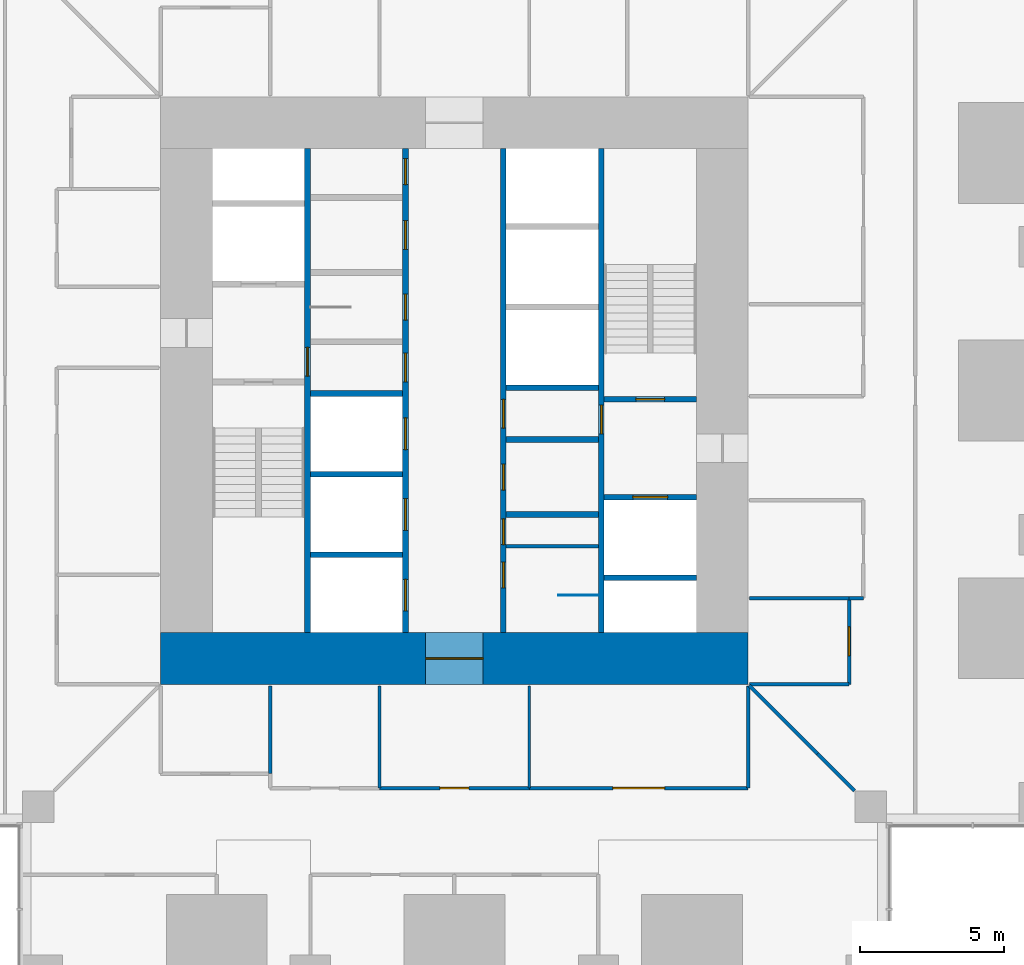
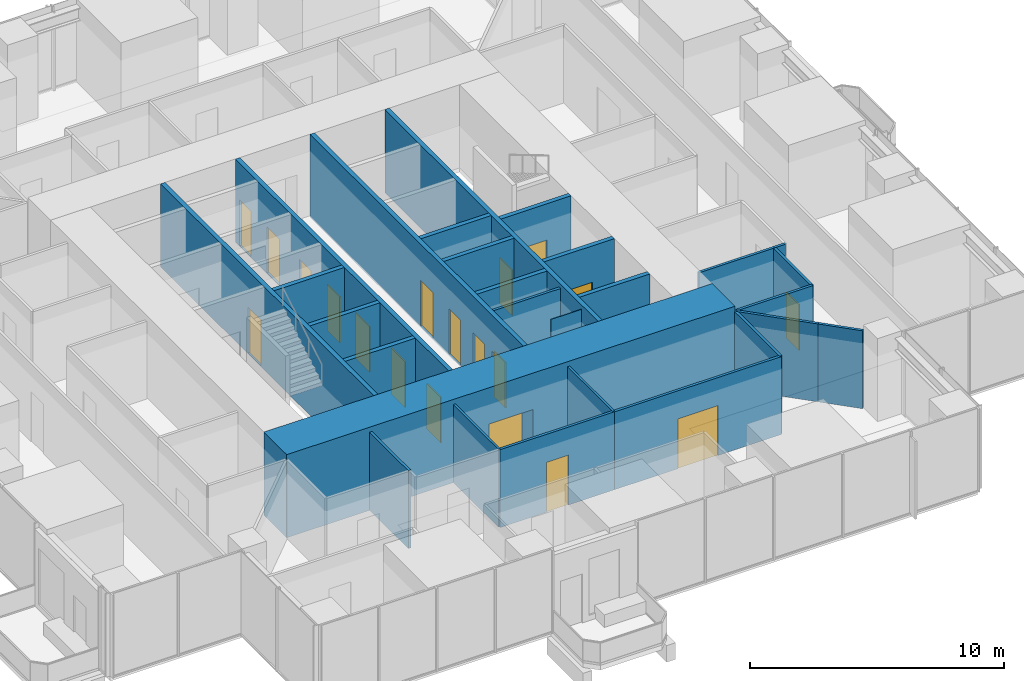
# One storey, part 11 of 16: 28 walls, 19 doors, 19 openings.
"""IFC4 building model written with IfcOpenShell, lengths in metres."""

from ifc_helpers import new_model, si_unit, direction, frame, frame_2d, origin, place, context, subcontext, project, spatial, rectangle, extrude, material, layer, layer_set, type_object, element, fill, save


model = new_model("IFC4")

# Units and contexts
model_context = context("Model", 3, precision=1e-05, world=origin(), true_north=direction((0.0, 1.0)))
body_context = subcontext(model_context, "Body", "Model", "MODEL_VIEW")
ifc_project = project(units=[si_unit("LENGTHUNIT", "METRE"), si_unit("AREAUNIT", "SQUARE_METRE"), si_unit("VOLUMEUNIT", "CUBIC_METRE"), si_unit("PLANEANGLEUNIT", "RADIAN"), si_unit("MASSUNIT", "GRAM", prefix="KILO")], contexts=[model_context])

# Site, building, storey
site_placement = place(None, origin())
site = spatial("IfcSite", under=ifc_project, at=site_placement, CompositionType="ELEMENT")
building_placement = place(site_placement, origin())
building = spatial("IfcBuilding", under=site, at=building_placement, Name="Svetlomir Tower", CompositionType="ELEMENT")
storey_placement = place(building_placement, frame((0.0, 0.0, 22.5)))
storey = spatial("IfcBuildingStorey", under=building, at=storey_placement, Name="L04", CompositionType="ELEMENT", Elevation=22.5)

# Wall, opening, door
ifc_material_1 = material(Name="Concrete C60/75", Category="concrete")
ifc_layer_1 = layer(ifc_material_1, 0.199951171875)
ifc_layer_set_1 = layer_set([ifc_layer_1], Name="Concrete C60/75")
wall_type_1 = type_object("IfcWallType", Name="CORE INNER WALL 200", PredefinedType="SHEAR", material=ifc_layer_set_1)
wall_1_placement = place(storey_placement, frame((15.89990234375, 12.60009765625, -0.050048828125), z_axis=(0.0, 0.0, 1.0), x_axis=(0.0, 1.0, 0.0)))
wall_1 = element("IfcWall", 1, at=wall_1_placement, inside=storey, type_object=wall_type_1, Name="Core inner wall 15.9 L04", PredefinedType="SHEAR", context=body_context, shape_type="SweptSolid", body=[
    extrude(rectangle(XDim=16.7998046875, YDim=0.199951171875, at=frame_2d((8.39990234375, 0.0))), origin(), (0.0, 0.0, 1.0), 4.0),
])
opening_1_placement = place(wall_1_placement, frame((8.89990234375, 0.0, 0.050048828125)))
opening_1 = element("IfcOpeningElement", 2, at=opening_1_placement, cuts=wall_1, Name="Opening DF", PredefinedType="OPENING", context=body_context, shape_type="SweptSolid", body=[
    extrude(rectangle(XDim=1.0, YDim=2.199951171875, at=frame_2d((0.5, 1.10009765625))), frame((0.0, 0.10986328125, 0.0), z_axis=(0.0, -1.0, 0.0), x_axis=(1.0, 0.0, 0.0)), (0.0, 0.0, 1.0), 0.219970703125),
])
ifc_material_2 = material(Name="Steel fire door", Category="steel")
door_type_1 = type_object("IfcDoorType", Name="DOOR DF 1000x2200", OperationType="SINGLE_SWING_LEFT", PredefinedType="DOOR", material=ifc_material_2)
door_1_placement = place(opening_1_placement, origin())
door_1 = element("IfcDoor", 3, at=door_1_placement, inside=storey, type_object=door_type_1, Name="Core corridor west door L04", OperationType="SINGLE_SWING_LEFT", OverallHeight=2.199951171875, OverallWidth=1.0, PredefinedType="DOOR", context=body_context, shape_type="SweptSolid", body=[
    extrude(rectangle(XDim=1.0, YDim=2.199951171875, at=frame_2d((0.5, 1.10009765625))), frame((0.0, 0.02490234375, 0.0), z_axis=(0.0, -1.0, 0.0), x_axis=(1.0, 0.0, 0.0)), (0.0, 0.0, 1.0), 0.050048828125),
])
fill(opening_1, door_1)

# Wall, openings, doors
wall_2_placement = place(storey_placement, frame((19.300048828125, 12.60009765625, -0.050048828125), z_axis=(0.0, 0.0, 1.0), x_axis=(0.0, 1.0, 0.0)))
wall_2 = element("IfcWall", 4, at=wall_2_placement, inside=storey, type_object=wall_type_1, Name="Core inner wall 19.3 L04", PredefinedType="SHEAR", context=body_context, shape_type="SweptSolid", body=[
    extrude(rectangle(XDim=16.7998046875, YDim=0.199951171875, at=frame_2d((8.39990234375, 0.0))), origin(), (0.0, 0.0, 1.0), 4.0),
])
opening_2_placement = place(wall_2_placement, frame((8.699951171875, 0.0, 0.050048828125)))
opening_2 = element("IfcOpeningElement", 5, at=opening_2_placement, cuts=wall_2, Name="Opening DC", PredefinedType="OPENING", context=body_context, shape_type="SweptSolid", body=[
    extrude(rectangle(XDim=1.0, YDim=2.199951171875, at=frame_2d((0.5, 1.10009765625))), frame((0.0, 0.10986328125, 0.0), z_axis=(0.0, -1.0, 0.0), x_axis=(1.0, 0.0, 0.0)), (0.0, 0.0, 1.0), 0.219970703125),
])
opening_3_placement = place(wall_2_placement, frame((10.85009765625, 0.0, 0.050048828125)))
opening_3 = element("IfcOpeningElement", 6, at=opening_3_placement, cuts=wall_2, Name="Opening DW", PredefinedType="OPENING", context=body_context, shape_type="SweptSolid", body=[
    extrude(rectangle(XDim=0.89990234375, YDim=2.199951171875, at=frame_2d((0.449951171875, 1.10009765625))), frame((0.0, 0.10986328125, 0.0), z_axis=(0.0, -1.0, 0.0), x_axis=(1.0, 0.0, 0.0)), (0.0, 0.0, 1.0), 0.219970703125),
])
opening_4_placement = place(wall_2_placement, frame((13.300048828125, 0.0, 0.050048828125)))
opening_4 = element("IfcOpeningElement", 7, at=opening_4_placement, cuts=wall_2, Name="Opening DC", PredefinedType="OPENING", context=body_context, shape_type="SweptSolid", body=[
    extrude(rectangle(XDim=1.0, YDim=2.199951171875, at=frame_2d((0.5, 1.10009765625))), frame((0.0, 0.10986328125, 0.0), z_axis=(0.0, -1.0, 0.0), x_axis=(1.0, 0.0, 0.0)), (0.0, 0.0, 1.0), 0.219970703125),
])
opening_5_placement = place(wall_2_placement, frame((15.550048828125, 0.0, 0.050048828125)))
opening_5 = element("IfcOpeningElement", 8, at=opening_5_placement, cuts=wall_2, Name="Opening DW", PredefinedType="OPENING", context=body_context, shape_type="SweptSolid", body=[
    extrude(rectangle(XDim=0.89990234375, YDim=2.199951171875, at=frame_2d((0.449951171875, 1.10009765625))), frame((0.0, 0.10986328125, 0.0), z_axis=(0.0, -1.0, 0.0), x_axis=(1.0, 0.0, 0.0)), (0.0, 0.0, 1.0), 0.219970703125),
])
opening_6_placement = place(wall_2_placement, frame((0.75, 0.0, 0.050048828125)))
opening_6 = element("IfcOpeningElement", 9, at=opening_6_placement, cuts=wall_2, Name="Opening LD", PredefinedType="OPENING", context=body_context, shape_type="SweptSolid", body=[
    extrude(rectangle(XDim=1.10009765625, YDim=2.199951171875, at=frame_2d((0.550048828125, 1.10009765625))), frame((0.0, 0.10986328125, 0.0), z_axis=(0.0, -1.0, 0.0), x_axis=(1.0, 0.0, 0.0)), (0.0, 0.0, 1.0), 0.219970703125),
])
opening_7_placement = place(wall_2_placement, frame((3.550048828125, 0.0, 0.050048828125)))
opening_7 = element("IfcOpeningElement", 10, at=opening_7_placement, cuts=wall_2, Name="Opening LD", PredefinedType="OPENING", context=body_context, shape_type="SweptSolid", body=[
    extrude(rectangle(XDim=1.10009765625, YDim=2.199951171875, at=frame_2d((0.550048828125, 1.10009765625))), frame((0.0, 0.10986328125, 0.0), z_axis=(0.0, -1.0, 0.0), x_axis=(1.0, 0.0, 0.0)), (0.0, 0.0, 1.0), 0.219970703125),
])
opening_8_placement = place(wall_2_placement, frame((6.35009765625, 0.0, 0.050048828125)))
opening_8 = element("IfcOpeningElement", 11, at=opening_8_placement, cuts=wall_2, Name="Opening LD", PredefinedType="OPENING", context=body_context, shape_type="SweptSolid", body=[
    extrude(rectangle(XDim=1.10009765625, YDim=2.199951171875, at=frame_2d((0.550048828125, 1.10009765625))), frame((0.0, 0.10986328125, 0.0), z_axis=(0.0, -1.0, 0.0), x_axis=(1.0, 0.0, 0.0)), (0.0, 0.0, 1.0), 0.219970703125),
])
ifc_material_3 = material(Name="Timber fire door", Category="wood")
door_type_2 = type_object("IfcDoorType", Name="DOOR DC 1000x2200", OperationType="SINGLE_SWING_LEFT", PredefinedType="DOOR", material=ifc_material_3)
door_2_placement = place(opening_2_placement, origin())
door_2 = element("IfcDoor", 12, at=door_2_placement, inside=storey, type_object=door_type_2, Name="Core corridor west lobby door L04", OperationType="SINGLE_SWING_RIGHT", OverallHeight=2.199951171875, OverallWidth=1.0, PredefinedType="DOOR", context=body_context, shape_type="SweptSolid", body=[
    extrude(rectangle(XDim=1.0, YDim=2.199951171875, at=frame_2d((0.5, 1.10009765625))), frame((0.0, 0.02490234375, 0.0), z_axis=(0.0, -1.0, 0.0), x_axis=(1.0, 0.0, 0.0)), (0.0, 0.0, 1.0), 0.050048828125),
])
fill(opening_2, door_2)
door_3_placement = place(opening_4_placement, origin())
door_3 = element("IfcDoor", 13, at=door_3_placement, inside=storey, type_object=door_type_2, Name="Accessible WC door L04", OperationType="SINGLE_SWING_LEFT", OverallHeight=2.199951171875, OverallWidth=1.0, PredefinedType="DOOR", context=body_context, shape_type="SweptSolid", body=[
    extrude(rectangle(XDim=1.0, YDim=2.199951171875, at=frame_2d((0.5, 1.10009765625))), frame((0.0, 0.02490234375, 0.0), z_axis=(0.0, -1.0, 0.0), x_axis=(1.0, 0.0, 0.0)), (0.0, 0.0, 1.0), 0.050048828125),
])
fill(opening_4, door_3)
ifc_material_4 = material(Name="Timber fire door", Category="wood")
door_type_3 = type_object("IfcDoorType", Name="DOOR DW 900x2200", OperationType="SINGLE_SWING_LEFT", PredefinedType="DOOR", material=ifc_material_4)
door_4_placement = place(opening_3_placement, origin())
door_4 = element("IfcDoor", 14, at=door_4_placement, inside=storey, type_object=door_type_3, Name="Female WC door L04", OperationType="SINGLE_SWING_RIGHT", OverallHeight=2.199951171875, OverallWidth=0.89990234375, PredefinedType="DOOR", context=body_context, shape_type="SweptSolid", body=[
    extrude(rectangle(XDim=0.89990234375, YDim=2.199951171875, at=frame_2d((0.449951171875, 1.10009765625))), frame((0.0, 0.02490234375, 0.0), z_axis=(0.0, -1.0, 0.0), x_axis=(1.0, 0.0, 0.0)), (0.0, 0.0, 1.0), 0.050048828125),
])
fill(opening_3, door_4)
door_5_placement = place(opening_5_placement, origin())
door_5 = element("IfcDoor", 15, at=door_5_placement, inside=storey, type_object=door_type_3, Name="Cleaner's store door L04", OperationType="SINGLE_SWING_RIGHT", OverallHeight=2.199951171875, OverallWidth=0.89990234375, PredefinedType="DOOR", context=body_context, shape_type="SweptSolid", body=[
    extrude(rectangle(XDim=0.89990234375, YDim=2.199951171875, at=frame_2d((0.449951171875, 1.10009765625))), frame((0.0, 0.02490234375, 0.0), z_axis=(0.0, -1.0, 0.0), x_axis=(1.0, 0.0, 0.0)), (0.0, 0.0, 1.0), 0.050048828125),
])
fill(opening_5, door_5)
ifc_material_5 = material(Name="Stainless steel landing door", Category="steel")
door_type_4 = type_object("IfcDoorType", Name="LIFT LANDING DOOR LD 1100x2200", OperationType="DOUBLE_DOOR_SLIDING", PredefinedType="DOOR", material=ifc_material_5)
door_6_placement = place(opening_6_placement, origin())
door_6 = element("IfcDoor", 16, at=door_6_placement, inside=storey, type_object=door_type_4, Name="Landing door lift LA1 L04", OperationType="DOUBLE_DOOR_SLIDING", OverallHeight=2.199951171875, OverallWidth=1.10009765625, PredefinedType="DOOR", context=body_context, shape_type="SweptSolid", body=[
    extrude(rectangle(XDim=1.10009765625, YDim=2.199951171875, at=frame_2d((0.550048828125, 1.10009765625))), frame((0.0, 0.02490234375, 0.0), z_axis=(0.0, -1.0, 0.0), x_axis=(1.0, 0.0, 0.0)), (0.0, 0.0, 1.0), 0.050048828125),
])
fill(opening_6, door_6)
door_7_placement = place(opening_7_placement, origin())
door_7 = element("IfcDoor", 17, at=door_7_placement, inside=storey, type_object=door_type_4, Name="Landing door lift LA2 L04", OperationType="DOUBLE_DOOR_SLIDING", OverallHeight=2.199951171875, OverallWidth=1.10009765625, PredefinedType="DOOR", context=body_context, shape_type="SweptSolid", body=[
    extrude(rectangle(XDim=1.10009765625, YDim=2.199951171875, at=frame_2d((0.550048828125, 1.10009765625))), frame((0.0, 0.02490234375, 0.0), z_axis=(0.0, -1.0, 0.0), x_axis=(1.0, 0.0, 0.0)), (0.0, 0.0, 1.0), 0.050048828125),
])
fill(opening_7, door_7)
door_8_placement = place(opening_8_placement, origin())
door_8 = element("IfcDoor", 18, at=door_8_placement, inside=storey, type_object=door_type_4, Name="Landing door lift LA3 L04", OperationType="DOUBLE_DOOR_SLIDING", OverallHeight=2.199951171875, OverallWidth=1.10009765625, PredefinedType="DOOR", context=body_context, shape_type="SweptSolid", body=[
    extrude(rectangle(XDim=1.10009765625, YDim=2.199951171875, at=frame_2d((0.550048828125, 1.10009765625))), frame((0.0, 0.02490234375, 0.0), z_axis=(0.0, -1.0, 0.0), x_axis=(1.0, 0.0, 0.0)), (0.0, 0.0, 1.0), 0.050048828125),
])
fill(opening_8, door_8)

wall_3_placement = place(storey_placement, frame((22.699951171875, 12.60009765625, -0.050048828125), z_axis=(0.0, 0.0, 1.0), x_axis=(0.0, 1.0, 0.0)))
wall_3 = element("IfcWall", 19, at=wall_3_placement, inside=storey, type_object=wall_type_1, Name="Core inner wall 22.7 L04", PredefinedType="SHEAR", context=body_context, shape_type="SweptSolid", body=[
    extrude(rectangle(XDim=16.7998046875, YDim=0.199951171875, at=frame_2d((8.39990234375, 0.0))), origin(), (0.0, 0.0, 1.0), 4.0),
])
opening_9_placement = place(wall_3_placement, frame((3.050048828125, 0.0, 0.050048828125)))
opening_9 = element("IfcOpeningElement", 20, at=opening_9_placement, cuts=wall_3, Name="Opening DW", PredefinedType="OPENING", context=body_context, shape_type="SweptSolid", body=[
    extrude(rectangle(XDim=0.89990234375, YDim=2.199951171875, at=frame_2d((0.449951171875, 1.10009765625))), frame((0.0, 0.10986328125, 0.0), z_axis=(0.0, -1.0, 0.0), x_axis=(1.0, 0.0, 0.0)), (0.0, 0.0, 1.0), 0.219970703125),
])
opening_10_placement = place(wall_3_placement, frame((7.10009765625, 0.0, 0.050048828125)))
opening_10 = element("IfcOpeningElement", 21, at=opening_10_placement, cuts=wall_3, Name="Opening DC", PredefinedType="OPENING", context=body_context, shape_type="SweptSolid", body=[
    extrude(rectangle(XDim=1.0, YDim=2.199951171875, at=frame_2d((0.5, 1.10009765625))), frame((0.0, 0.10986328125, 0.0), z_axis=(0.0, -1.0, 0.0), x_axis=(1.0, 0.0, 0.0)), (0.0, 0.0, 1.0), 0.219970703125),
])
opening_11_placement = place(wall_3_placement, frame((1.550048828125, 0.0, 0.050048828125)))
opening_11 = element("IfcOpeningElement", 22, at=opening_11_placement, cuts=wall_3, Name="Opening DW", PredefinedType="OPENING", context=body_context, shape_type="SweptSolid", body=[
    extrude(rectangle(XDim=0.89990234375, YDim=2.199951171875, at=frame_2d((0.449951171875, 1.10009765625))), frame((0.0, 0.10986328125, 0.0), z_axis=(0.0, -1.0, 0.0), x_axis=(1.0, 0.0, 0.0)), (0.0, 0.0, 1.0), 0.219970703125),
])
opening_12_placement = place(wall_3_placement, frame((4.949951171875, 0.0, 0.050048828125)))
opening_12 = element("IfcOpeningElement", 23, at=opening_12_placement, cuts=wall_3, Name="Opening DW", PredefinedType="OPENING", context=body_context, shape_type="SweptSolid", body=[
    extrude(rectangle(XDim=0.89990234375, YDim=2.199951171875, at=frame_2d((0.449951171875, 1.10009765625))), frame((0.0, 0.10986328125, 0.0), z_axis=(0.0, -1.0, 0.0), x_axis=(1.0, 0.0, 0.0)), (0.0, 0.0, 1.0), 0.219970703125),
])
door_9_placement = place(opening_10_placement, origin())
door_9 = element("IfcDoor", 24, at=door_9_placement, inside=storey, type_object=door_type_2, Name="Core corridor east lobby door L04", OperationType="SINGLE_SWING_LEFT", OverallHeight=2.199951171875, OverallWidth=1.0, PredefinedType="DOOR", context=body_context, shape_type="SweptSolid", body=[
    extrude(rectangle(XDim=1.0, YDim=2.199951171875, at=frame_2d((0.5, 1.10009765625))), frame((0.0, 0.02490234375, 0.0), z_axis=(0.0, -1.0, 0.0), x_axis=(1.0, 0.0, 0.0)), (0.0, 0.0, 1.0), 0.050048828125),
])
fill(opening_10, door_9)
door_10_placement = place(opening_9_placement, origin())
door_10 = element("IfcDoor", 25, at=door_10_placement, inside=storey, type_object=door_type_3, Name="Shower and changing room door L04", OperationType="SINGLE_SWING_LEFT", OverallHeight=2.199951171875, OverallWidth=0.89990234375, PredefinedType="DOOR", context=body_context, shape_type="SweptSolid", body=[
    extrude(rectangle(XDim=0.89990234375, YDim=2.199951171875, at=frame_2d((0.449951171875, 1.10009765625))), frame((0.0, 0.02490234375, 0.0), z_axis=(0.0, -1.0, 0.0), x_axis=(1.0, 0.0, 0.0)), (0.0, 0.0, 1.0), 0.050048828125),
])
fill(opening_9, door_10)
door_11_placement = place(opening_11_placement, origin())
door_11 = element("IfcDoor", 26, at=door_11_placement, inside=storey, type_object=door_type_3, Name="Male WC door L04", OperationType="SINGLE_SWING_RIGHT", OverallHeight=2.199951171875, OverallWidth=0.89990234375, PredefinedType="DOOR", context=body_context, shape_type="SweptSolid", body=[
    extrude(rectangle(XDim=0.89990234375, YDim=2.199951171875, at=frame_2d((0.449951171875, 1.10009765625))), frame((0.0, 0.02490234375, 0.0), z_axis=(0.0, -1.0, 0.0), x_axis=(1.0, 0.0, 0.0)), (0.0, 0.0, 1.0), 0.050048828125),
])
fill(opening_11, door_11)
door_12_placement = place(opening_12_placement, origin())
door_12 = element("IfcDoor", 27, at=door_12_placement, inside=storey, type_object=door_type_3, Name="Comms room door L04", OperationType="SINGLE_SWING_RIGHT", OverallHeight=2.199951171875, OverallWidth=0.89990234375, PredefinedType="DOOR", context=body_context, shape_type="SweptSolid", body=[
    extrude(rectangle(XDim=0.89990234375, YDim=2.199951171875, at=frame_2d((0.449951171875, 1.10009765625))), frame((0.0, 0.02490234375, 0.0), z_axis=(0.0, -1.0, 0.0), x_axis=(1.0, 0.0, 0.0)), (0.0, 0.0, 1.0), 0.050048828125),
])
fill(opening_12, door_12)

# Wall, opening, door
wall_4_placement = place(storey_placement, frame((26.10009765625, 12.60009765625, -0.050048828125), z_axis=(0.0, 0.0, 1.0), x_axis=(0.0, 1.0, 0.0)))
wall_4 = element("IfcWall", 28, at=wall_4_placement, inside=storey, type_object=wall_type_1, Name="Core inner wall 26.1 L04", PredefinedType="SHEAR", context=body_context, shape_type="SweptSolid", body=[
    extrude(rectangle(XDim=16.7998046875, YDim=0.199951171875, at=frame_2d((8.39990234375, 0.0))), origin(), (0.0, 0.0, 1.0), 4.0),
])
opening_13_placement = place(wall_4_placement, frame((6.89990234375, 0.0, 0.050048828125)))
opening_13 = element("IfcOpeningElement", 29, at=opening_13_placement, cuts=wall_4, Name="Opening DF", PredefinedType="OPENING", context=body_context, shape_type="SweptSolid", body=[
    extrude(rectangle(XDim=1.0, YDim=2.199951171875, at=frame_2d((0.5, 1.10009765625))), frame((0.0, 0.10986328125, 0.0), z_axis=(0.0, -1.0, 0.0), x_axis=(1.0, 0.0, 0.0)), (0.0, 0.0, 1.0), 0.219970703125),
])
door_13_placement = place(opening_13_placement, origin())
door_13 = element("IfcDoor", 30, at=door_13_placement, inside=storey, type_object=door_type_1, Name="Core corridor east door L04", OperationType="SINGLE_SWING_LEFT", OverallHeight=2.199951171875, OverallWidth=1.0, PredefinedType="DOOR", context=body_context, shape_type="SweptSolid", body=[
    extrude(rectangle(XDim=1.0, YDim=2.199951171875, at=frame_2d((0.5, 1.10009765625))), frame((0.0, 0.02490234375, 0.0), z_axis=(0.0, -1.0, 0.0), x_axis=(1.0, 0.0, 0.0)), (0.0, 0.0, 1.0), 0.050048828125),
])
fill(opening_13, door_13)

# Walls
for number, where, z_axis, x_axis, name in (
    (31, (16.0, 15.300048828125, -0.050048828125), (0.0, 0.0, 1.0), (1.0, 0.0, 0.0), "Core inner wall 16-19.2/15.3 L04"),
    (32, (16.0, 18.10009765625, -0.050048828125), (0.0, 0.0, 1.0), (1.0, 0.0, 0.0), "Core inner wall 16-19.2/18.1 L04"),
    (33, (16.0, 20.89990234375, -0.050048828125), (0.0, 0.0, 1.0), (1.0, 0.0, 0.0), "Core inner wall 16-19.2/20.9 L04"),
    (34, (22.800048828125, 16.699951171875, -0.050048828125), (0.0, 0.0, 1.0), (1.0, 0.0, 0.0), "Core inner wall 22.8-26/16.7 L04"),
    (35, (22.800048828125, 19.300048828125, -0.050048828125), (0.0, 0.0, 1.0), (1.0, 0.0, 0.0), "Core inner wall 22.8-26/19.3 L04"),
    (36, (22.800048828125, 21.10009765625, -0.050048828125), (0.0, 0.0, 1.0), (1.0, 0.0, 0.0), "Core inner wall 22.8-26/21.1 L04"),
    (37, (26.199951171875, 14.5, -0.050048828125), (0.0, 0.0, 1.0), (1.0, 0.0, 0.0), "Core inner wall 26.2-29.4/14.5 L04"),
):
    element("IfcWall", number, at=place(storey_placement, frame(where, z_axis=z_axis, x_axis=x_axis)), inside=storey, type_object=wall_type_1, Name=name, PredefinedType="SHEAR", context=body_context, shape_type="SweptSolid", body=[
        extrude(rectangle(XDim=3.199951171875, YDim=0.199951171875, at=frame_2d((1.60009765625, 0.0))), origin(), (0.0, 0.0, 1.0), 4.0),
    ])

# Wall, opening, door
wall_5_placement = place(storey_placement, frame((26.199951171875, 17.300048828125, -0.050048828125), z_axis=(0.0, 0.0, 1.0), x_axis=(1.0, 0.0, 0.0)))
wall_5 = element("IfcWall", 38, at=wall_5_placement, inside=storey, type_object=wall_type_1, Name="Core inner wall 26.2-29.4/17.3 L04", PredefinedType="SHEAR", context=body_context, shape_type="SweptSolid", body=[
    extrude(rectangle(XDim=3.199951171875, YDim=0.199951171875, at=frame_2d((1.60009765625, 0.0))), origin(), (0.0, 0.0, 1.0), 4.0),
])
opening_14_placement = place(wall_5_placement, frame((1.0, 0.0, 0.050048828125)))
opening_14 = element("IfcOpeningElement", 39, at=opening_14_placement, cuts=wall_5, Name="Opening LD3", PredefinedType="OPENING", context=body_context, shape_type="SweptSolid", body=[
    extrude(rectangle(XDim=1.199951171875, YDim=2.199951171875, at=frame_2d((0.60009765625, 1.10009765625))), frame((0.0, 0.10986328125, 0.0), z_axis=(0.0, -1.0, 0.0), x_axis=(1.0, 0.0, 0.0)), (0.0, 0.0, 1.0), 0.219970703125),
])
ifc_material_6 = material(Name="Stainless steel fire-rated landing door", Category="steel")
door_type_5 = type_object("IfcDoorType", Name="FIREFIGHTING LIFT LANDING DOOR LD3 1200x2200", OperationType="DOUBLE_DOOR_SLIDING", PredefinedType="DOOR", material=ifc_material_6)
door_14_placement = place(opening_14_placement, origin())
door_14 = element("IfcDoor", 40, at=door_14_placement, inside=storey, type_object=door_type_5, Name="Landing door lift FL2 L04", OperationType="DOUBLE_DOOR_SLIDING", OverallHeight=2.199951171875, OverallWidth=1.199951171875, PredefinedType="DOOR", context=body_context, shape_type="SweptSolid", body=[
    extrude(rectangle(XDim=1.199951171875, YDim=2.199951171875, at=frame_2d((0.60009765625, 1.10009765625))), frame((0.0, 0.02490234375, 0.0), z_axis=(0.0, -1.0, 0.0), x_axis=(1.0, 0.0, 0.0)), (0.0, 0.0, 1.0), 0.050048828125),
])
fill(opening_14, door_14)

wall_6_placement = place(storey_placement, frame((26.199951171875, 20.699951171875, -0.050048828125), z_axis=(0.0, 0.0, 1.0), x_axis=(1.0, 0.0, 0.0)))
wall_6 = element("IfcWall", 41, at=wall_6_placement, inside=storey, type_object=wall_type_1, Name="Core inner wall 26.2-29.4/20.7 L04", PredefinedType="SHEAR", context=body_context, shape_type="SweptSolid", body=[
    extrude(rectangle(XDim=3.199951171875, YDim=0.199951171875, at=frame_2d((1.60009765625, 0.0))), origin(), (0.0, 0.0, 1.0), 4.0),
])
opening_15_placement = place(wall_6_placement, frame((1.10009765625, 0.0, 0.050048828125)))
opening_15 = element("IfcOpeningElement", 42, at=opening_15_placement, cuts=wall_6, Name="Opening DF", PredefinedType="OPENING", context=body_context, shape_type="SweptSolid", body=[
    extrude(rectangle(XDim=1.0, YDim=2.199951171875, at=frame_2d((0.5, 1.10009765625))), frame((0.0, 0.10986328125, 0.0), z_axis=(0.0, -1.0, 0.0), x_axis=(1.0, 0.0, 0.0)), (0.0, 0.0, 1.0), 0.219970703125),
])
door_15_placement = place(opening_15_placement, origin())
door_15 = element("IfcDoor", 43, at=door_15_placement, inside=storey, type_object=door_type_1, Name="Stair S2 door L04", OperationType="SINGLE_SWING_LEFT", OverallHeight=2.199951171875, OverallWidth=1.0, PredefinedType="DOOR", context=body_context, shape_type="SweptSolid", body=[
    extrude(rectangle(XDim=1.0, YDim=2.199951171875, at=frame_2d((0.5, 1.10009765625))), frame((0.0, 0.02490234375, 0.0), z_axis=(0.0, -1.0, 0.0), x_axis=(1.0, 0.0, 0.0)), (0.0, 0.0, 1.0), 0.050048828125),
])
fill(opening_15, door_15)

ifc_material_7 = material(Name="Concrete C60/75", Category="concrete")
ifc_layer_2 = layer(ifc_material_7, 1.800048828125)
ifc_layer_set_2 = layer_set([ifc_layer_2], Name="Concrete C60/75")
wall_type_2 = type_object("IfcWallType", Name="CORE WALL 1800", PredefinedType="SHEAR", material=ifc_layer_set_2)
wall_7_placement = place(storey_placement, frame((10.800048828125, 11.699951171875, -0.050048828125), z_axis=(0.0, 0.0, 1.0), x_axis=(1.0, 0.0, 0.0)))
wall_7 = element("IfcWall", 44, at=wall_7_placement, inside=storey, type_object=wall_type_2, Name="Core wall south L04", PredefinedType="SHEAR", context=body_context, shape_type="SweptSolid", body=[
    extrude(rectangle(XDim=20.39990234375, YDim=1.800048828125, at=frame_2d((10.199951171875, 0.0))), origin(), (0.0, 0.0, 1.0), 4.0),
])
opening_16_placement = place(wall_7_placement, frame((9.199951171875, 0.0, 0.050048828125)))
opening_16 = element("IfcOpeningElement", 45, at=opening_16_placement, cuts=wall_7, Name="Opening DL", PredefinedType="OPENING", context=body_context, shape_type="SweptSolid", body=[
    extrude(rectangle(XDim=2.0, YDim=2.199951171875, at=frame_2d((1.0, 1.10009765625))), frame((0.0, 0.91015625, 0.0), z_axis=(0.0, -1.0, 0.0), x_axis=(1.0, 0.0, 0.0)), (0.0, 0.0, 1.0), 1.820068359375),
])
ifc_material_8 = material(Name="Steel fire door", Category="steel")
door_type_6 = type_object("IfcDoorType", Name="DOOR DL 2000x2200", OperationType="DOUBLE_DOOR_SINGLE_SWING", PredefinedType="DOOR", material=ifc_material_8)
door_16_placement = place(opening_16_placement, origin())
door_16 = element("IfcDoor", 46, at=door_16_placement, inside=storey, type_object=door_type_6, Name="Lift lobby south door L04", OperationType="DOUBLE_DOOR_SINGLE_SWING", OverallHeight=2.199951171875, OverallWidth=2.0, PredefinedType="DOOR", context=body_context, shape_type="SweptSolid", body=[
    extrude(rectangle(XDim=2.0, YDim=2.199951171875, at=frame_2d((1.0, 1.10009765625))), frame((0.0, 0.02490234375, 0.0), z_axis=(0.0, -1.0, 0.0), x_axis=(1.0, 0.0, 0.0)), (0.0, 0.0, 1.0), 0.050048828125),
])
fill(opening_16, door_16)

# Walls
ifc_material_9 = material(Name="Framed laminated glass partition", Category="glass")
ifc_layer_3 = layer(ifc_material_9, 0.10009765625)
ifc_layer_set_3 = layer_set([ifc_layer_3], Name="Framed laminated glass partition")
wall_type_3 = type_object("IfcWallType", Name="GLAZED PARTITION 100", PredefinedType="PARTITIONING", material=ifc_layer_set_3)
for number, where, z_axis, x_axis, name in (
    (47, (18.39990234375, 7.199951171875, 0.0), (0.0, 0.0, 1.0), (0.0, 1.0, 0.0), "Glazed partition L04"),
    (48, (23.60009765625, 7.199951171875, 0.0), (0.0, 0.0, 1.0), (0.0, 1.0, 0.0), "Glazed partition L04"),
):
    element("IfcWall", number, at=place(storey_placement, frame(where, z_axis=z_axis, x_axis=x_axis)), inside=storey, type_object=wall_type_3, Name=name, PredefinedType="PARTITIONING", context=body_context, shape_type="SweptSolid", body=[
        extrude(rectangle(XDim=3.550048828125, YDim=0.10009765625, at=frame_2d((1.77490234375, 0.0))), origin(), (0.0, 0.0, 1.0), 3.75),
    ])
ifc_material_10 = material(Name="Gypsum board on steel studs", Category="steel")
ifc_layer_4 = layer(ifc_material_10, 0.1201171875)
ifc_layer_set_4 = layer_set([ifc_layer_4], Name="Gypsum board on steel studs")
wall_type_4 = type_object("IfcWallType", Name="PARTITION 120", PredefinedType="PARTITIONING", material=ifc_layer_set_4)
wall_8_placement = place(storey_placement, frame((22.800048828125, 15.60009765625, 0.0), z_axis=(0.0, 0.0, 1.0), x_axis=(1.0, 0.0, 0.0)))
element("IfcWall", 49, at=wall_8_placement, inside=storey, type_object=wall_type_4, Name="Shower room partition L04", PredefinedType="PARTITIONING", context=body_context, shape_type="SweptSolid", body=[
    extrude(rectangle(XDim=3.199951171875, YDim=0.1201171875, at=frame_2d((1.60009765625, 0.0))), origin(), (0.0, 0.0, 1.0), 3.75),
])
wall_9_placement = place(storey_placement, frame((14.60009765625, 7.699951171875, 0.0), z_axis=(0.0, 0.0, 1.0), x_axis=(0.0, 1.0, 0.0)))
element("IfcWall", 50, at=wall_9_placement, inside=storey, type_object=wall_type_4, Name="Partition L04", PredefinedType="PARTITIONING", context=body_context, shape_type="SweptSolid", body=[
    extrude(rectangle(XDim=3.050048828125, YDim=0.1201171875, at=frame_2d((1.52490234375, 0.0))), origin(), (0.0, 0.0, 1.0), 3.75),
])

# Wall, opening, door
wall_10_placement = place(storey_placement, frame((18.39990234375, 7.199951171875, 0.0), z_axis=(0.0, 0.0, 1.0), x_axis=(1.0, 0.0, 0.0)))
wall_10 = element("IfcWall", 51, at=wall_10_placement, inside=storey, type_object=wall_type_4, Name="Partition L04", PredefinedType="PARTITIONING", context=body_context, shape_type="SweptSolid", body=[
    extrude(rectangle(XDim=5.2001953125, YDim=0.1201171875, at=frame_2d((2.60009765625, 0.0))), origin(), (0.0, 0.0, 1.0), 3.75),
])
opening_17_placement = place(wall_10_placement, frame((2.10009765625, 0.0, 0.0)))
opening_17 = element("IfcOpeningElement", 52, at=opening_17_placement, cuts=wall_10, Name="Opening DG", PredefinedType="OPENING", context=body_context, shape_type="SweptSolid", body=[
    extrude(rectangle(XDim=1.0, YDim=2.39990234375, at=frame_2d((0.5, 1.199951171875))), frame((0.0, 0.070068359375, 0.0), z_axis=(0.0, -1.0, 0.0), x_axis=(1.0, 0.0, 0.0)), (0.0, 0.0, 1.0), 0.14013671875),
])
ifc_material_11 = material(Name="Framed laminated glass door", Category="glass")
door_type_7 = type_object("IfcDoorType", Name="GLAZED DOOR DG 1000x2400", OperationType="SINGLE_SWING_LEFT", PredefinedType="DOOR", material=ifc_material_11)
door_17_placement = place(opening_17_placement, origin())
door_17 = element("IfcDoor", 53, at=door_17_placement, inside=storey, type_object=door_type_7, Name="Ring corridor 1 door 3 L04", OperationType="SINGLE_SWING_LEFT", OverallHeight=2.39990234375, OverallWidth=1.0, PredefinedType="DOOR", context=body_context, shape_type="SweptSolid", body=[
    extrude(rectangle(XDim=1.0, YDim=2.39990234375, at=frame_2d((0.5, 1.199951171875))), frame((0.0, 0.02490234375, 0.0), z_axis=(0.0, -1.0, 0.0), x_axis=(1.0, 0.0, 0.0)), (0.0, 0.0, 1.0), 0.050048828125),
])
fill(opening_17, door_17)

wall_11_placement = place(storey_placement, frame((23.60009765625, 7.199951171875, 0.0), z_axis=(0.0, 0.0, 1.0), x_axis=(1.0, 0.0, 0.0)))
wall_11 = element("IfcWall", 54, at=wall_11_placement, inside=storey, type_object=wall_type_4, Name="Partition L04", PredefinedType="PARTITIONING", context=body_context, shape_type="SweptSolid", body=[
    extrude(rectangle(XDim=7.599853515625, YDim=0.1201171875, at=frame_2d((3.7998046875, 0.0))), origin(), (0.0, 0.0, 1.0), 3.75),
])
opening_18_placement = place(wall_11_placement, frame((2.89990234375, 0.0, 0.0)))
opening_18 = element("IfcOpeningElement", 55, at=opening_18_placement, cuts=wall_11, Name="Opening DD", PredefinedType="OPENING", context=body_context, shape_type="SweptSolid", body=[
    extrude(rectangle(XDim=1.800048828125, YDim=2.39990234375, at=frame_2d((0.89990234375, 1.199951171875))), frame((0.0, 0.070068359375, 0.0), z_axis=(0.0, -1.0, 0.0), x_axis=(1.0, 0.0, 0.0)), (0.0, 0.0, 1.0), 0.14013671875),
])
ifc_material_12 = material(Name="Timber door", Category="wood")
door_type_8 = type_object("IfcDoorType", Name="DOOR DD 1800x2400", OperationType="DOUBLE_DOOR_SINGLE_SWING", PredefinedType="DOOR", material=ifc_material_12)
door_18_placement = place(opening_18_placement, origin())
door_18 = element("IfcDoor", 56, at=door_18_placement, inside=storey, type_object=door_type_8, Name="Team room, 14 seats door L04", OperationType="DOUBLE_DOOR_SINGLE_SWING", OverallHeight=2.39990234375, OverallWidth=1.800048828125, PredefinedType="DOOR", context=body_context, shape_type="SweptSolid", body=[
    extrude(rectangle(XDim=1.800048828125, YDim=2.39990234375, at=frame_2d((0.89990234375, 1.199951171875))), frame((0.0, 0.02490234375, 0.0), z_axis=(0.0, -1.0, 0.0), x_axis=(1.0, 0.0, 0.0)), (0.0, 0.0, 1.0), 0.050048828125),
])
fill(opening_18, door_18)

# Walls
wall_12_placement = place(storey_placement, frame((31.199951171875, 7.199951171875, 0.0), z_axis=(0.0, 0.0, 1.0), x_axis=(0.0, 1.0, 0.0)))
element("IfcWall", 57, at=wall_12_placement, inside=storey, type_object=wall_type_4, Name="Partition L04", PredefinedType="PARTITIONING", context=body_context, shape_type="SweptSolid", body=[
    extrude(rectangle(XDim=3.550048828125, YDim=0.1201171875, at=frame_2d((1.77490234375, 0.0))), origin(), (0.0, 0.0, 1.0), 3.75),
])
wall_13_placement = place(storey_placement, frame((31.2353515625, 10.7646484375, 0.0), z_axis=(0.0, 0.0, 1.0), x_axis=(0.707106781187, -0.707106781187, 0.0)))
element("IfcWall", 58, at=wall_13_placement, inside=storey, type_object=wall_type_4, Name="Partition L04", PredefinedType="PARTITIONING", context=body_context, shape_type="SweptSolid", body=[
    extrude(rectangle(XDim=3.346435546875, YDim=0.1201171875, at=frame_2d((1.67333984375, 0.0))), origin(), (0.0, 0.0, 1.0), 3.75),
])
for number, where, z_axis, x_axis, name in (
    (59, (31.25, 10.800048828125, 0.0), (0.0, 0.0, 1.0), (1.0, 0.0, 0.0), "Partition L04"),
    (60, (31.25, 13.800048828125, 0.0), (0.0, 0.0, 1.0), (1.0, 0.0, 0.0), "Partition L04"),
):
    element("IfcWall", number, at=place(storey_placement, frame(where, z_axis=z_axis, x_axis=x_axis)), inside=storey, type_object=wall_type_4, Name=name, PredefinedType="PARTITIONING", context=body_context, shape_type="SweptSolid", body=[
        extrude(rectangle(XDim=3.449951171875, YDim=0.1201171875, at=frame_2d((1.72509765625, 0.0))), origin(), (0.0, 0.0, 1.0), 3.75),
    ])
wall_14_placement = place(storey_placement, frame((33.6015625, 8.3984375, 0.0), z_axis=(0.0, 0.0, 1.0), x_axis=(0.707106781187, -0.707106781187, 0.0)))
element("IfcWall", 61, at=wall_14_placement, inside=storey, type_object=wall_type_4, Name="Partition L04", PredefinedType="PARTITIONING", context=body_context, shape_type="SweptSolid", body=[
    extrude(rectangle(XDim=1.822021484375, YDim=0.1201171875, at=frame_2d((0.9111328125, 0.0))), origin(), (0.0, 0.0, 1.0), 3.75),
])

# Wall, opening, door
wall_15_placement = place(storey_placement, frame((34.699951171875, 10.800048828125, 0.0), z_axis=(0.0, 0.0, 1.0), x_axis=(0.0, 1.0, 0.0)))
wall_15 = element("IfcWall", 62, at=wall_15_placement, inside=storey, type_object=wall_type_4, Name="Partition L04", PredefinedType="PARTITIONING", context=body_context, shape_type="SweptSolid", body=[
    extrude(rectangle(XDim=3.0, YDim=0.1201171875, at=frame_2d((1.5, 0.0))), origin(), (0.0, 0.0, 1.0), 3.75),
])
opening_19_placement = place(wall_15_placement, frame((1.0, 0.0, 0.0)))
opening_19 = element("IfcOpeningElement", 63, at=opening_19_placement, cuts=wall_15, Name="Opening DR", PredefinedType="OPENING", context=body_context, shape_type="SweptSolid", body=[
    extrude(rectangle(XDim=1.0, YDim=2.199951171875, at=frame_2d((0.5, 1.10009765625))), frame((0.0, 0.070068359375, 0.0), z_axis=(0.0, -1.0, 0.0), x_axis=(1.0, 0.0, 0.0)), (0.0, 0.0, 1.0), 0.14013671875),
])
ifc_material_13 = material(Name="Timber door, glazed side light", Category="wood")
door_type_9 = type_object("IfcDoorType", Name="DOOR DR 1000x2200", OperationType="SINGLE_SWING_LEFT", PredefinedType="DOOR", material=ifc_material_13)
door_19_placement = place(opening_19_placement, origin())
door_19 = element("IfcDoor", 64, at=door_19_placement, inside=storey, type_object=door_type_9, Name="Print and copy room door L04", OperationType="SINGLE_SWING_LEFT", OverallHeight=2.199951171875, OverallWidth=1.0, PredefinedType="DOOR", context=body_context, shape_type="SweptSolid", body=[
    extrude(rectangle(XDim=1.0, YDim=2.199951171875, at=frame_2d((0.5, 1.10009765625))), frame((0.0, 0.02490234375, 0.0), z_axis=(0.0, -1.0, 0.0), x_axis=(1.0, 0.0, 0.0)), (0.0, 0.0, 1.0), 0.050048828125),
])
fill(opening_19, door_19)

# Walls
wall_16_placement = place(storey_placement, frame((34.699951171875, 13.800048828125, 0.0), z_axis=(0.0, 0.0, 1.0), x_axis=(1.0, 0.0, 0.0)))
element("IfcWall", 65, at=wall_16_placement, inside=storey, type_object=wall_type_4, Name="Partition L04", PredefinedType="PARTITIONING", context=body_context, shape_type="SweptSolid", body=[
    extrude(rectangle(XDim=0.5, YDim=0.1201171875, at=frame_2d((0.25, 0.0))), origin(), (0.0, 0.0, 1.0), 3.75),
])
ifc_material_14 = material(Name="Compact laminate panel", Category="plastic")
ifc_layer_5 = layer(ifc_material_14, 0.030029296875)
ifc_layer_set_5 = layer_set([ifc_layer_5], Name="Compact laminate panel")
wall_type_5 = type_object("IfcWallType", Name="WC CUBICLE PARTITION 30", PredefinedType="PARTITIONING", material=ifc_layer_set_5)
wall_17_placement = place(storey_placement, frame((24.60009765625, 13.89990234375, 0.0), z_axis=(0.0, 0.0, 1.0), x_axis=(1.0, 0.0, 0.0)))
element("IfcWall", 66, at=wall_17_placement, inside=storey, type_object=wall_type_5, Name="WC cubicle partition L04", PredefinedType="PARTITIONING", context=body_context, shape_type="SweptSolid", body=[
    extrude(rectangle(XDim=1.39990234375, YDim=0.030029296875, at=frame_2d((0.699951171875, 0.0))), origin(), (0.0, 0.0, 1.0), 3.75),
])

save(model, "model.ifc")
